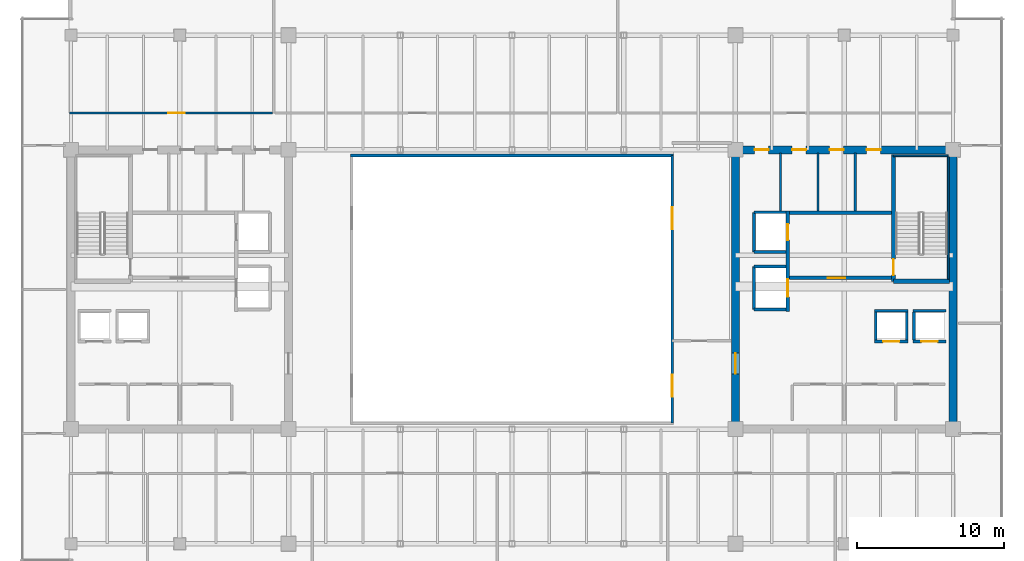
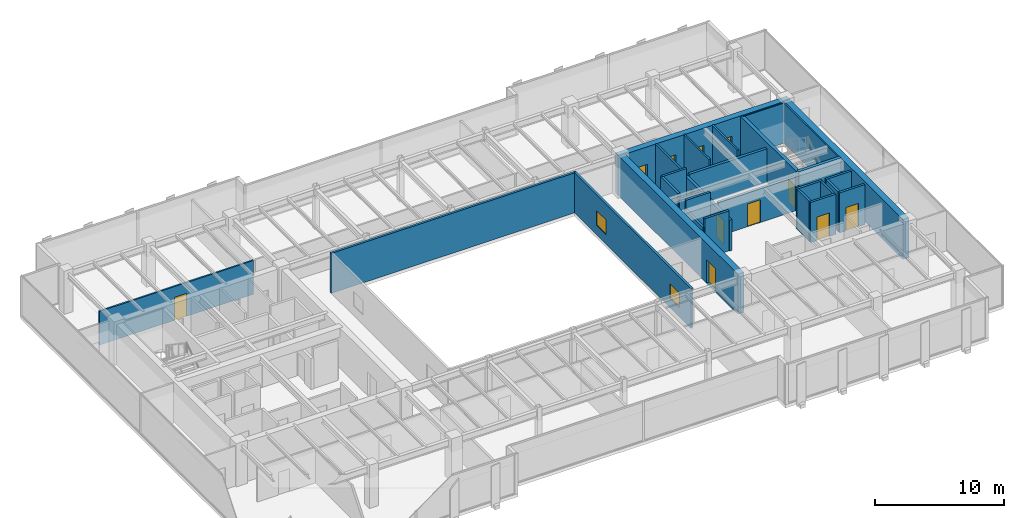
# One storey, part 30 of 36: 29 walls, 12 doors, 2 windows, 14 openings.
"""IFC4 building model written with IfcOpenShell, lengths in metres."""

import ifcopenshell
import ifcopenshell.guid

model = None  # the IFC model being written
_history = None  # IfcOwnerHistory: only IFC2X3 demands one
_inside = {}  # id of a spatial element -> (the spatial element, [elements in it])
_under = {}  # id of a project, library or spatial element -> (it, [spatial elements below it])
_declared = {}  # id of a project -> (the project, [libraries it declares])
_typed = {}  # id of a type object -> (the type object, [elements of that type])
_made_of = {}  # id of a material, layer set ... -> (it, [elements and type objects made of it])


def new_model(schema):
    """Start an empty IFC model of exactly this schema.

    Asked for "IFC4X3", IfcOpenShell would pick the latest addendum, in which some entities
    have other attributes; the version numbers below select the first issue.
    IFC2X3 requires an IfcOwnerHistory on every rooted entity: one is made here for all.
    """
    global model, _history
    if schema == "IFC4X3":
        model = ifcopenshell.file(schema_version=(4, 3, 0, 0))
    else:
        model = ifcopenshell.file(schema=schema)
    _inside.clear()
    _under.clear()
    _declared.clear()
    _typed.clear()
    _made_of.clear()
    _history = None
    if model.schema == "IFC2X3":
        org = make("IfcOrganization", Name="unknown")
        user = make(
            "IfcPersonAndOrganization",
            ThePerson=make("IfcPerson", FamilyName="unknown"),
            TheOrganization=org,
        )
        app = make(
            "IfcApplication",
            ApplicationDeveloper=org,
            Version="unknown",
            ApplicationFullName="unknown",
            ApplicationIdentifier="unknown",
        )
        _history = make(
            "IfcOwnerHistory",
            OwningUser=user,
            OwningApplication=app,
            ChangeAction="ADDED",
            CreationDate=0,
        )
    return model


def make(cls, **values):
    """One entity of the class cls with the attributes given. An attribute that is None is left unset."""
    return model.create_entity(
        cls, **{name: value for name, value in values.items() if value is not None}
    )


def rooted(cls, **values):
    """An entity with a GlobalId (a new one), such as an element, a storey or a relation."""
    return make(cls, GlobalId=ifcopenshell.guid.new(), OwnerHistory=_history, **values)


def si_unit(unit_type, name, prefix=None):
    """IfcSIUnit, for example si_unit("LENGTHUNIT", "METRE", prefix="MILLI")."""
    return make("IfcSIUnit", UnitType=unit_type, Prefix=prefix, Name=name)


def assignment(units):
    """IfcUnitAssignment: the units of a project."""
    return None if units is None else make("IfcUnitAssignment", Units=units)


def point(xyz):
    """IfcCartesianPoint."""
    return None if xyz is None else make("IfcCartesianPoint", Coordinates=xyz)


def direction(xyz):
    """IfcDirection."""
    return None if xyz is None else make("IfcDirection", DirectionRatios=xyz)


def frame(location, z_axis=None, x_axis=None):
    """IfcAxis2Placement3D, a coordinate frame: its origin and axes. An axis left out is left unset."""
    return make(
        "IfcAxis2Placement3D",
        Location=point(location),
        Axis=direction(z_axis),
        RefDirection=direction(x_axis),
    )


def frame_2d(location, x_axis=None):
    """IfcAxis2Placement2D, a coordinate frame in the plane: its origin and x axis."""
    return make(
        "IfcAxis2Placement2D", Location=point(location), RefDirection=direction(x_axis)
    )


def origin():
    """The frame at (0, 0, 0) with its axes left unset."""
    return frame((0.0, 0.0, 0.0))


def place(relative_to, where):
    """IfcLocalPlacement: puts the frame where relative to a parent placement (None: the world)."""
    return make(
        "IfcLocalPlacement", PlacementRelTo=relative_to, RelativePlacement=where
    )


def context(
    kind, dimensions, precision=None, world=None, true_north=None, identifier=None
):
    """IfcGeometricRepresentationContext, for example the 3D "Model" context."""
    return make(
        "IfcGeometricRepresentationContext",
        ContextIdentifier=identifier,
        ContextType=kind,
        CoordinateSpaceDimension=dimensions,
        Precision=precision,
        WorldCoordinateSystem=world,
        TrueNorth=true_north,
    )


def subcontext(parent, identifier, kind, view, scale=None):
    """IfcGeometricRepresentationSubContext, for example "Body" below "Model"."""
    return make(
        "IfcGeometricRepresentationSubContext",
        ContextIdentifier=identifier,
        ContextType=kind,
        ParentContext=parent,
        TargetScale=scale,
        TargetView=view,
    )


def project(units=None, contexts=None):
    """IfcProject with its units and contexts."""
    return rooted(
        "IfcProject",
        Name="project",
        RepresentationContexts=contexts,
        UnitsInContext=assignment(units),
    )


def spatial(cls, under=None, at=None, **own):
    """A site, building, storey or space (cls), placed at a placement, below another one or the project."""
    s = rooted(cls, ObjectPlacement=at, **own)
    if under is not None:
        _under.setdefault(under.id(), (under, []))[1].append(s)
    return s


def profile(cls, at=None, kind="AREA", **sizes):
    """A parametric profile (cls). Its sizes go by their IFC names, for example OverallWidth=200.0."""
    return make(cls, ProfileType=kind, Position=at, **sizes)


def rectangle(**sizes):
    """IfcRectangleProfileDef."""
    return profile("IfcRectangleProfileDef", **sizes)


def extrude(swept, where, along, depth):
    """IfcExtrudedAreaSolid: the profile swept, set in the frame where, extruded along a direction by depth."""
    return make(
        "IfcExtrudedAreaSolid",
        SweptArea=swept,
        Position=where,
        ExtrudedDirection=direction(along),
        Depth=depth,
    )


def shape(context_of_items, identifier, shape_type, items):
    """IfcShapeRepresentation: the items that make up one representation, for example the "Body"."""
    return make(
        "IfcShapeRepresentation",
        ContextOfItems=context_of_items,
        RepresentationIdentifier=identifier,
        RepresentationType=shape_type,
        Items=items,
    )


def source(mapping_origin, context_of_items, identifier, shape_type, items):
    """IfcRepresentationMap: a shape defined once, which mapped items show again and again."""
    return make(
        "IfcRepresentationMap",
        MappingOrigin=mapping_origin,
        MappedRepresentation=shape(context_of_items, identifier, shape_type, items),
    )


def transform(
    local_origin,
    x_axis=None,
    y_axis=None,
    z_axis=None,
    scale=None,
    scale2=None,
    scale3=None,
    uniform=True,
):
    """IfcCartesianTransformationOperator3D, or its non-uniform kind. x_axis, y_axis, z_axis: its Axis1, 2, 3."""
    if uniform:
        return make(
            "IfcCartesianTransformationOperator3D",
            Axis1=direction(x_axis),
            Axis2=direction(y_axis),
            LocalOrigin=point(local_origin),
            Scale=scale,
            Axis3=direction(z_axis),
        )
    return make(
        "IfcCartesianTransformationOperator3DnonUniform",
        Axis1=direction(x_axis),
        Axis2=direction(y_axis),
        LocalOrigin=point(local_origin),
        Scale=scale,
        Axis3=direction(z_axis),
        Scale2=scale2,
        Scale3=scale3,
    )


def mapped(mapping_source, mapping_target):
    """IfcMappedItem: shows the shape of a source again, moved by a transform."""
    return make(
        "IfcMappedItem", MappingSource=mapping_source, MappingTarget=mapping_target
    )


def material(Name=None, Category=None):
    """IfcMaterial."""
    return make("IfcMaterial", Name=Name, Category=Category)


def layer(
    of_material, thickness, ventilated=None, Name=None, Category=None, Priority=None
):
    """IfcMaterialLayer: one layer of a wall or slab, of a material (None: an air gap)."""
    return make(
        "IfcMaterialLayer",
        Material=of_material,
        LayerThickness=thickness,
        IsVentilated=ventilated,
        Name=Name,
        Category=Category,
        Priority=Priority,
    )


def layer_set(layers, Name=None):
    """IfcMaterialLayerSet."""
    return make("IfcMaterialLayerSet", MaterialLayers=layers, LayerSetName=Name)


def made_of(thing, what):
    """Note that an element or type object is made of a material, layer set ...; save() writes the relation."""
    if what is not None:
        _made_of.setdefault(what.id(), (what, []))[1].append(thing)
    return thing


def type_object(cls, material=None, **own):
    """A type object (cls), such as IfcWallType, which elements share."""
    return made_of(rooted(cls, **own), material)


def type_shapes(of_type, sources):
    """Give a type object the sources (RepresentationMaps) that its elements show as mapped items."""
    of_type.RepresentationMaps = sources


def element(
    cls,
    number,
    at=None,
    inside=None,
    cuts=None,
    type_object=None,
    material=None,
    context=None,
    identifier="Body",
    shape_type=None,
    held_by="IfcProductDefinitionShape",
    body=None,
    shapes=None,
    **own,
):
    """One element of the class cls, such as IfcWall. Its Tag is "e" and its number.

    at: its placement. inside: the storey or other place that contains it. cuts: it is an
    opening in that element (IfcRelVoidsElement). A single representation is given by context,
    identifier, shape_type and body (its items); several are given by shapes. held_by: the class
    of the entity that holds the representations. save() writes the other relations.
    """
    e = rooted(cls, Tag="e%d" % number, ObjectPlacement=at, **own)
    if body is not None:
        shapes = [shape(context, identifier, shape_type, body)]
    if shapes is not None:
        e.Representation = make(held_by, Representations=shapes)
    if inside is not None:
        _inside.setdefault(inside.id(), (inside, []))[1].append(e)
    if cuts is not None:
        rooted(
            "IfcRelVoidsElement", RelatingBuildingElement=cuts, RelatedOpeningElement=e
        )
    if type_object is not None:
        _typed.setdefault(type_object.id(), (type_object, []))[1].append(e)
    return made_of(e, material)


def fill(opening, filler):
    """IfcRelFillsElement: the door or window that sits in an opening."""
    return rooted(
        "IfcRelFillsElement",
        RelatingOpeningElement=opening,
        RelatedBuildingElement=filler,
    )


def aggregate(whole, parts):
    """IfcRelAggregates: a whole, such as a stair, and the parts it consists of."""
    return rooted("IfcRelAggregates", RelatingObject=whole, RelatedObjects=parts)


def save(model, path):
    """Write the relations noted so far, then the file.

    IfcRelAggregates (storeys below a building ...), IfcRelContainedInSpatialStructure (elements
    in a storey), IfcRelDefinesByType, IfcRelAssociatesMaterial and IfcRelDeclares: one each for
    every whole, place, type object, material and project.
    """
    for whole, parts in _under.values():
        aggregate(whole, parts)
    for where, things in _inside.values():
        rooted(
            "IfcRelContainedInSpatialStructure",
            RelatedElements=things,
            RelatingStructure=where,
        )
    for kind, things in _typed.values():
        rooted("IfcRelDefinesByType", RelatedObjects=things, RelatingType=kind)
    for what, things in _made_of.values():
        rooted("IfcRelAssociatesMaterial", RelatedObjects=things, RelatingMaterial=what)
    for by, libraries in _declared.values():
        rooted("IfcRelDeclares", RelatingContext=by, RelatedDefinitions=libraries)
    model.write(path)


model = new_model("IFC4")

# Units and contexts
model_context = context("Model", 3, precision=1e-05, world=origin(), true_north=direction((0.0, 1.0)))
body_context = subcontext(model_context, "Body", "Model", "MODEL_VIEW")
ifc_project = project(units=[si_unit("LENGTHUNIT", "METRE"), si_unit("AREAUNIT", "SQUARE_METRE"), si_unit("VOLUMEUNIT", "CUBIC_METRE"), si_unit("PLANEANGLEUNIT", "RADIAN"), si_unit("MASSUNIT", "GRAM", prefix="KILO")], contexts=[model_context])

# Site, building, storey
site_placement = place(None, origin())
site = spatial("IfcSite", under=ifc_project, at=site_placement, CompositionType="ELEMENT")
building_placement = place(site_placement, origin())
building = spatial("IfcBuilding", under=site, at=building_placement, Name="Haelvirn Gate Laboratories", CompositionType="ELEMENT")
storey_placement = place(building_placement, frame((0.0, 0.0, 242.39990234375)))
storey = spatial("IfcBuildingStorey", under=building, at=storey_placement, Name="L58", CompositionType="ELEMENT", Elevation=242.39990234375)

# Wall, openings, windows
ifc_material_1 = material(Name="Tempered fire-rated borosilicate glass & anodised aluminium", Category="aluminium")
ifc_layer_1 = layer(ifc_material_1, 0.195068359375, Name="IW-GLAZ-200")
ifc_layer_set_1 = layer_set([ifc_layer_1], Name="Tempered fire-rated borosilicate glass & anodised aluminium")
wall_type_1 = type_object("IfcWallType", Name="IW-GLAZ-200", PredefinedType="SOLIDWALL", material=ifc_layer_set_1)
wall_1_placement = place(storey_placement, frame((48.300048828125, 15.199951171875, 0.0), z_axis=(0.0, 0.0, 1.0), x_axis=(0.0, 1.0, 0.0)))
wall_1 = element("IfcWall", 1, at=wall_1_placement, inside=storey, type_object=wall_type_1, Name="L58 Interior Wall IW-L58-ATRIUM-E", PredefinedType="SOLIDWALL", context=body_context, shape_type="SweptSolid", body=[
    extrude(rectangle(XDim=18.199951171875, YDim=0.195068359375, at=frame_2d((9.10009765625, 0.0))), origin(), (0.0, 0.0, 1.0), 3.800048828125),
])
opening_1_placement = place(wall_1_placement, frame((1.800048828125, 0.0, 0.89990234375)))
opening_1 = element("IfcOpeningElement", 2, at=opening_1_placement, cuts=wall_1, Name="Opening W5", PredefinedType="OPENING", context=body_context, shape_type="SweptSolid", body=[
    extrude(rectangle(XDim=1.5, YDim=1.39990234375, at=frame_2d((0.75, 0.699951171875))), frame((0.0, 0.107421875, 0.0), z_axis=(0.0, -1.0, 0.0), x_axis=(1.0, 0.0, 0.0)), (0.0, 0.0, 1.0), 0.215087890625),
])
opening_2_placement = place(wall_1_placement, frame((13.199951171875, 0.0, 0.89990234375)))
opening_2 = element("IfcOpeningElement", 3, at=opening_2_placement, cuts=wall_1, Name="Opening W5", PredefinedType="OPENING", context=body_context, shape_type="SweptSolid", body=[
    extrude(rectangle(XDim=1.5, YDim=1.39990234375, at=frame_2d((0.75, 0.699951171875))), frame((0.0, 0.107421875, 0.0), z_axis=(0.0, -1.0, 0.0), x_axis=(1.0, 0.0, 0.0)), (0.0, 0.0, 1.0), 0.215087890625),
])
ifc_material_2 = material(Name="Fire-rated EI 120 borosilicate atrium vision glazing", Category="glass")
window_type = type_object("IfcWindowType", Name="WN-ATR-1500", PartitioningType="SINGLE_PANEL", PredefinedType="WINDOW", material=ifc_material_2)
shared_shape_1 = source(origin(), body_context, "Body", "SweptSolid", [
    extrude(rectangle(XDim=1.5, YDim=1.39990234375, at=frame_2d((0.75, 0.699951171875))), frame((0.0, 0.030029296875, 0.0), z_axis=(0.0, -1.0, 0.0), x_axis=(1.0, 0.0, 0.0)), (0.0, 0.0, 1.0), 0.06005859375),
])
type_shapes(window_type, [shared_shape_1])
window_1_placement = place(opening_1_placement, origin())
window_1 = element("IfcWindow", 4, at=window_1_placement, inside=storey, type_object=window_type, Name="L58 Atrium Observation Window 1", OverallHeight=1.39990234375, OverallWidth=1.5, PartitioningType="SINGLE_PANEL", PredefinedType="WINDOW", context=body_context, shape_type="MappedRepresentation", body=[
    mapped(shared_shape_1, transform((0.0, 0.0, 0.0), scale=1.0)),
])
fill(opening_1, window_1)
window_2_placement = place(opening_2_placement, origin())
window_2 = element("IfcWindow", 5, at=window_2_placement, inside=storey, type_object=window_type, Name="L58 Atrium Observation Window 2", OverallHeight=1.39990234375, OverallWidth=1.5, PartitioningType="SINGLE_PANEL", PredefinedType="WINDOW", context=body_context, shape_type="MappedRepresentation", body=[
    mapped(shared_shape_1, transform((0.0, 0.0, 0.0), scale=1.0)),
])
fill(opening_2, window_2)

# Wall
wall_2_placement = place(storey_placement, frame((26.39990234375, 33.39990234375, 0.0), z_axis=(0.0, 0.0, 1.0), x_axis=(1.0, 0.0, 0.0)))
element("IfcWall", 6, at=wall_2_placement, inside=storey, type_object=wall_type_1, Name="L58 Interior Wall IW-L58-ATRIUM-N", PredefinedType="SOLIDWALL", context=body_context, shape_type="SweptSolid", body=[
    extrude(rectangle(XDim=22.0, YDim=0.195068359375, at=frame_2d((11.0, 0.0))), origin(), (0.0, 0.0, 1.0), 3.800048828125),
])

# Wall, opening, door
ifc_material_3 = material(Name="Acoustic mineral-wool gypsum board partition", Category="gypsum")
ifc_layer_2 = layer(ifc_material_3, 0.139892578125, Name="IW-PART-140")
ifc_layer_set_2 = layer_set([ifc_layer_2], Name="Acoustic mineral-wool gypsum board partition")
wall_type_2 = type_object("IfcWallType", Name="IW-PART-140", PredefinedType="PARTITIONING", material=ifc_layer_set_2)
wall_3_placement = place(storey_placement, frame((7.31005859375, 36.31005859375, 0.0), z_axis=(0.0, 0.0, 1.0), x_axis=(1.0, 0.0, 0.0)))
wall_3 = element("IfcWall", 7, at=wall_3_placement, inside=storey, type_object=wall_type_2, Name="L58 Interior Wall IW-L58-NCORR-01", PredefinedType="PARTITIONING", context=body_context, shape_type="SweptSolid", body=[
    extrude(rectangle(XDim=13.81005859375, YDim=0.139892578125, at=frame_2d((6.905029296875, 0.0))), origin(), (0.0, 0.0, 1.0), 3.197021484375),
])
opening_3_placement = place(wall_3_placement, frame((6.71533203125, 0.0, 0.0)))
opening_3 = element("IfcOpeningElement", 8, at=opening_3_placement, cuts=wall_3, Name="Opening D1", PredefinedType="OPENING", context=body_context, shape_type="SweptSolid", body=[
    extrude(rectangle(XDim=1.10009765625, YDim=2.179931640625, at=frame_2d((0.550048828125, 1.08984375))), frame((0.0, 0.080078125, 0.0), z_axis=(0.0, -1.0, 0.0), x_axis=(1.0, 0.0, 0.0)), (0.0, 0.0, 1.0), 0.159912109375),
])
ifc_material_4 = material(Name="Vision-panel acoustic solid-core timber lab door", Category="wood")
door_type_1 = type_object("IfcDoorType", Name="DR-LAB-1100", OperationType="NOTDEFINED", PredefinedType="DOOR", material=ifc_material_4)
shared_shape_2 = source(origin(), body_context, "Body", "SweptSolid", [
    extrude(rectangle(XDim=1.10009765625, YDim=2.179931640625, at=frame_2d((0.550048828125, 1.08984375))), frame((0.0, 0.02490234375, 0.0), z_axis=(0.0, -1.0, 0.0), x_axis=(1.0, 0.0, 0.0)), (0.0, 0.0, 1.0), 0.050048828125),
])
type_shapes(door_type_1, [shared_shape_2])
door_1_placement = place(opening_3_placement, origin())
door_1 = element("IfcDoor", 9, at=door_1_placement, inside=storey, type_object=door_type_1, Name="L58 Analytical Instrument Suite Door N1", OperationType="SINGLE_SWING_RIGHT", OverallHeight=2.179931640625, OverallWidth=1.10009765625, PredefinedType="DOOR", context=body_context, shape_type="MappedRepresentation", body=[
    mapped(shared_shape_2, transform((0.0, 0.0, 0.0), scale=1.0)),
])
fill(opening_3, door_1)

# Walls
ifc_material_5 = material(Name="Cement-board restroom plumbing chase wall", Category="gypsum")
ifc_layer_3 = layer(ifc_material_5, 0.155029296875, Name="IW-PLUMB-160")
ifc_layer_set_3 = layer_set([ifc_layer_3], Name="Cement-board restroom plumbing chase wall")
wall_type_3 = type_object("IfcWallType", Name="IW-PLUMB-160", PredefinedType="PLUMBINGWALL", material=ifc_layer_set_3)
for number, where, z_axis, x_axis, name in (
    (10, (60.760009765625, 29.64990234375, 0.0), (0.0, 0.0, 1.0), (0.0, 1.0, 0.0), "L58 Interior Wall IW-L58-E-CDIV-1"),
    (11, (58.2099609375, 29.64990234375, 0.0), (0.0, 0.0, 1.0), (0.0, 1.0, 0.0), "L58 Interior Wall IW-L58-E-CDIV-2"),
    (12, (55.659912109375, 29.64990234375, 0.0), (0.0, 0.0, 1.0), (0.0, 1.0, 0.0), "L58 Interior Wall IW-L58-E-CDIV-3"),
):
    element("IfcWall", number, at=place(storey_placement, frame(where, z_axis=z_axis, x_axis=x_axis)), inside=storey, type_object=wall_type_3, Name=name, PredefinedType="PLUMBINGWALL", context=body_context, shape_type="SweptSolid", body=[
        extrude(rectangle(XDim=3.93017578125, YDim=0.155029296875, at=frame_2d((1.965087890625, 0.0))), origin(), (0.0, 0.0, 1.0), 3.800048828125),
    ])
ifc_material_6 = material(Name="Concrete C40/50", Category="concrete")
ifc_layer_4 = layer(ifc_material_6, 0.179931640625, Name="IW-SHAFT-180")
ifc_layer_set_4 = layer_set([ifc_layer_4], Name="Concrete C40/50")
wall_type_4 = type_object("IfcWallType", Name="IW-SHAFT-180", PredefinedType="SOLIDWALL", material=ifc_layer_set_4)
for number, where, z_axis, x_axis, name in (
    (13, (64.75, 20.85009765625, 0.0), (0.0, 0.0, 1.0), (0.0, 1.0, 0.0), "L58 Interior Wall IW-L58-PL11-SD"),
    (14, (62.14990234375, 20.85009765625, 0.0), (0.0, 0.0, 1.0), (0.0, 1.0, 0.0), "L58 Interior Wall IW-L58-PL12-SD"),
    (15, (64.25, 20.85009765625, 0.0), (0.0, 0.0, 1.0), (0.0, 1.0, 0.0), "L58 Interior Wall IW-L58-PL12-SDE"),
):
    element("IfcWall", number, at=place(storey_placement, frame(where, z_axis=z_axis, x_axis=x_axis)), inside=storey, type_object=wall_type_4, Name=name, PredefinedType="SOLIDWALL", context=body_context, shape_type="SweptSolid", body=[
        extrude(rectangle(XDim=1.89990234375, YDim=0.179931640625, at=frame_2d((0.949951171875, 0.0))), origin(), (0.0, 0.0, 1.0), 3.800048828125),
    ])

# Wall, opening, door
ifc_layer_5 = layer(ifc_material_6, 0.199951171875, Name="IW-SHAFT-200")
ifc_layer_set_5 = layer_set([ifc_layer_5], Name="Concrete C40/50")
wall_type_5 = type_object("IfcWallType", Name="IW-SHAFT-200", PredefinedType="SOLIDWALL", material=ifc_layer_set_5)
wall_4_placement = place(storey_placement, frame((64.669921875, 20.75, 0.0), z_axis=(0.0, 0.0, 1.0), x_axis=(1.0, 0.0, 0.0)))
wall_4 = element("IfcWall", 16, at=wall_4_placement, inside=storey, type_object=wall_type_5, Name="L58 Interior Wall IW-L58-PL11-FR", PredefinedType="SOLIDWALL", context=body_context, shape_type="SweptSolid", body=[
    extrude(rectangle(XDim=2.260009765625, YDim=0.199951171875, at=frame_2d((1.1298828125, 0.0))), origin(), (0.0, 0.0, 1.0), 3.800048828125),
])
opening_4_placement = place(wall_4_placement, frame((0.580078125, 0.0, 0.0)))
opening_4 = element("IfcOpeningElement", 17, at=opening_4_placement, cuts=wall_4, Name="Opening LD2", PredefinedType="OPENING", context=body_context, shape_type="SweptSolid", body=[
    extrude(rectangle(XDim=1.10009765625, YDim=2.219970703125, at=frame_2d((0.550048828125, 1.10986328125))), frame((0.0, 0.10986328125, 0.0), z_axis=(0.0, -1.0, 0.0), x_axis=(1.0, 0.0, 0.0)), (0.0, 0.0, 1.0), 0.219970703125),
])
ifc_material_7 = material(Name="Bronze stainless 316L sliding lift landing door")
door_type_2 = type_object("IfcDoorType", Name="DR-LD-1100", OperationType="NOTDEFINED", PredefinedType="USERDEFINED", material=ifc_material_7)
shared_shape_3 = source(origin(), body_context, "Body", "SweptSolid", [
    extrude(rectangle(XDim=1.10009765625, YDim=2.219970703125, at=frame_2d((0.550048828125, 1.10986328125))), frame((0.0, 0.02490234375, 0.0), z_axis=(0.0, -1.0, 0.0), x_axis=(1.0, 0.0, 0.0)), (0.0, 0.0, 1.0), 0.050048828125),
])
type_shapes(door_type_2, [shared_shape_3])
door_2_placement = place(opening_4_placement, origin())
door_2 = element("IfcDoor", 18, at=door_2_placement, inside=storey, type_object=door_type_2, Name="L58 Passenger Lift PL11 Landing Door", ObjectType="LANDING_DOOR", OperationType="SLIDING_TO_LEFT", OverallHeight=2.219970703125, OverallWidth=1.10009765625, PredefinedType="USERDEFINED", context=body_context, shape_type="MappedRepresentation", body=[
    mapped(shared_shape_3, transform((0.0, 0.0, 0.0), scale=1.0)),
])
fill(opening_4, door_2)

# Wall
wall_5_placement = place(storey_placement, frame((64.669921875, 22.85009765625, 0.0), z_axis=(0.0, 0.0, 1.0), x_axis=(1.0, 0.0, 0.0)))
element("IfcWall", 19, at=wall_5_placement, inside=storey, type_object=wall_type_5, Name="L58 Interior Wall IW-L58-PL11-BK", PredefinedType="SOLIDWALL", context=body_context, shape_type="SweptSolid", body=[
    extrude(rectangle(XDim=2.260009765625, YDim=0.199951171875, at=frame_2d((1.1298828125, 0.0))), origin(), (0.0, 0.0, 1.0), 3.800048828125),
])

# Wall, opening, door
wall_6_placement = place(storey_placement, frame((62.070068359375, 20.75, 0.0), z_axis=(0.0, 0.0, 1.0), x_axis=(1.0, 0.0, 0.0)))
wall_6 = element("IfcWall", 20, at=wall_6_placement, inside=storey, type_object=wall_type_5, Name="L58 Interior Wall IW-L58-PL12-FR", PredefinedType="SOLIDWALL", context=body_context, shape_type="SweptSolid", body=[
    extrude(rectangle(XDim=2.260009765625, YDim=0.199951171875, at=frame_2d((1.1298828125, 0.0))), origin(), (0.0, 0.0, 1.0), 3.800048828125),
])
opening_5_placement = place(wall_6_placement, frame((0.580078125, 0.0, 0.0)))
opening_5 = element("IfcOpeningElement", 21, at=opening_5_placement, cuts=wall_6, Name="Opening LD2", PredefinedType="OPENING", context=body_context, shape_type="SweptSolid", body=[
    extrude(rectangle(XDim=1.10009765625, YDim=2.219970703125, at=frame_2d((0.550048828125, 1.10986328125))), frame((0.0, 0.10986328125, 0.0), z_axis=(0.0, -1.0, 0.0), x_axis=(1.0, 0.0, 0.0)), (0.0, 0.0, 1.0), 0.219970703125),
])
door_3_placement = place(opening_5_placement, origin())
door_3 = element("IfcDoor", 22, at=door_3_placement, inside=storey, type_object=door_type_2, Name="L58 Passenger Lift PL12 Landing Door", ObjectType="LANDING_DOOR", OperationType="SLIDING_TO_RIGHT", OverallHeight=2.219970703125, OverallWidth=1.10009765625, PredefinedType="USERDEFINED", context=body_context, shape_type="MappedRepresentation", body=[
    mapped(shared_shape_3, transform((0.0, 0.0, 0.0), scale=1.0)),
])
fill(opening_5, door_3)

# Walls
wall_7_placement = place(storey_placement, frame((62.070068359375, 22.85009765625, 0.0), z_axis=(0.0, 0.0, 1.0), x_axis=(1.0, 0.0, 0.0)))
element("IfcWall", 23, at=wall_7_placement, inside=storey, type_object=wall_type_5, Name="L58 Interior Wall IW-L58-PL12-BK", PredefinedType="SOLIDWALL", context=body_context, shape_type="SweptSolid", body=[
    extrude(rectangle(XDim=2.260009765625, YDim=0.199951171875, at=frame_2d((1.1298828125, 0.0))), origin(), (0.0, 0.0, 1.0), 3.800048828125),
])
wall_8_placement = place(storey_placement, frame((53.85009765625, 26.85009765625, 0.0), z_axis=(0.0, 0.0, 1.0), x_axis=(0.0, 1.0, 0.0)))
element("IfcWall", 24, at=wall_8_placement, inside=storey, type_object=wall_type_5, Name="L58 Interior Wall IW-L58-FL2-BK", PredefinedType="SOLIDWALL", context=body_context, shape_type="SweptSolid", body=[
    extrude(rectangle(XDim=2.699951171875, YDim=0.199951171875, at=frame_2d((1.35009765625, 0.0))), origin(), (0.0, 0.0, 1.0), 3.800048828125),
])
wall_9_placement = place(storey_placement, frame((53.85009765625, 29.550048828125, 0.0), z_axis=(0.0, 0.0, 1.0), x_axis=(1.0, 0.0, 0.0)))
element("IfcWall", 25, at=wall_9_placement, inside=storey, type_object=wall_type_5, Name="L58 Interior Wall IW-L58-FL2-N", PredefinedType="SOLIDWALL", context=body_context, shape_type="SweptSolid", body=[
    extrude(rectangle(XDim=2.18994140625, YDim=0.199951171875, at=frame_2d((1.094970703125, 0.0))), origin(), (0.0, 0.0, 1.0), 3.800048828125),
])
wall_10_placement = place(storey_placement, frame((53.85009765625, 26.85009765625, 0.0), z_axis=(0.0, 0.0, 1.0), x_axis=(1.0, 0.0, 0.0)))
element("IfcWall", 26, at=wall_10_placement, inside=storey, type_object=wall_type_5, Name="L58 Interior Wall IW-L58-FL2-S", PredefinedType="SOLIDWALL", context=body_context, shape_type="SweptSolid", body=[
    extrude(rectangle(XDim=2.18994140625, YDim=0.199951171875, at=frame_2d((1.094970703125, 0.0))), origin(), (0.0, 0.0, 1.0), 3.197021484375),
])
wall_11_placement = place(storey_placement, frame((53.85009765625, 22.949951171875, 0.0), z_axis=(0.0, 0.0, 1.0), x_axis=(0.0, 1.0, 0.0)))
element("IfcWall", 27, at=wall_11_placement, inside=storey, type_object=wall_type_5, Name="L58 Interior Wall IW-L58-SL2-BK", PredefinedType="SOLIDWALL", context=body_context, shape_type="SweptSolid", body=[
    extrude(rectangle(XDim=2.900146484375, YDim=0.199951171875, at=frame_2d((1.4501953125, 0.0))), origin(), (0.0, 0.0, 1.0), 2.93505859375),
])
for number, where, z_axis, x_axis, name in (
    (28, (53.85009765625, 25.85009765625, 0.0), (0.0, 0.0, 1.0), (1.0, 0.0, 0.0), "L58 Interior Wall IW-L58-SL2-N"),
    (29, (53.85009765625, 22.949951171875, 0.0), (0.0, 0.0, 1.0), (1.0, 0.0, 0.0), "L58 Interior Wall IW-L58-SL2-S"),
):
    element("IfcWall", number, at=place(storey_placement, frame(where, z_axis=z_axis, x_axis=x_axis)), inside=storey, type_object=wall_type_5, Name=name, PredefinedType="SOLIDWALL", context=body_context, shape_type="SweptSolid", body=[
        extrude(rectangle(XDim=2.18994140625, YDim=0.199951171875, at=frame_2d((1.094970703125, 0.0))), origin(), (0.0, 0.0, 1.0), 3.800048828125),
    ])

# Wall, opening, door
ifc_layer_6 = layer(ifc_material_6, 0.239990234375, Name="IW-SHAFT-240")
ifc_layer_set_6 = layer_set([ifc_layer_6], Name="Concrete C40/50")
wall_type_6 = type_object("IfcWallType", Name="IW-SHAFT-240", PredefinedType="SOLIDWALL", material=ifc_layer_set_6)
wall_12_placement = place(storey_placement, frame((56.280029296875, 25.080078125, 0.0), z_axis=(0.0, 0.0, 1.0), x_axis=(1.0, 0.0, 0.0)))
wall_12 = element("IfcWall", 30, at=wall_12_placement, inside=storey, type_object=wall_type_6, Name="L58 Interior Wall IW-L58-E-FF-S", PredefinedType="SOLIDWALL", context=body_context, shape_type="SweptSolid", body=[
    extrude(rectangle(XDim=6.919921875, YDim=0.239990234375, at=frame_2d((3.4599609375, 0.0))), origin(), (0.0, 0.0, 1.0), 3.197021484375),
])
opening_6_placement = place(wall_12_placement, frame((2.60009765625, 0.0, 0.0)))
opening_6 = element("IfcOpeningElement", 31, at=opening_6_placement, cuts=wall_12, Name="Opening FD2", PredefinedType="OPENING", context=body_context, shape_type="SweptSolid", body=[
    extrude(rectangle(XDim=1.199951171875, YDim=2.159912109375, at=frame_2d((0.60009765625, 1.080078125))), frame((0.0, 0.1298828125, 0.0), z_axis=(0.0, -1.0, 0.0), x_axis=(1.0, 0.0, 0.0)), (0.0, 0.0, 1.0), 0.260009765625),
])
ifc_material_8 = material(Name="Fire-rated steel SM355 compartment door", Category="steel")
door_type_3 = type_object("IfcDoorType", Name="DR-FD-1200", OperationType="NOTDEFINED", PredefinedType="DOOR", material=ifc_material_8)
shared_shape_4 = source(origin(), body_context, "Body", "SweptSolid", [
    extrude(rectangle(XDim=1.199951171875, YDim=2.159912109375, at=frame_2d((0.60009765625, 1.080078125))), frame((0.0, 0.02490234375, 0.0), z_axis=(0.0, -1.0, 0.0), x_axis=(1.0, 0.0, 0.0)), (0.0, 0.0, 1.0), 0.050048828125),
])
type_shapes(door_type_3, [shared_shape_4])
door_4_placement = place(opening_6_placement, origin())
door_4 = element("IfcDoor", 32, at=door_4_placement, inside=storey, type_object=door_type_3, Name="L58 East Firefighting Lobby Door", OperationType="SINGLE_SWING_LEFT", OverallHeight=2.159912109375, OverallWidth=1.199951171875, PredefinedType="DOOR", context=body_context, shape_type="MappedRepresentation", body=[
    mapped(shared_shape_4, transform((0.0, 0.0, 0.0), scale=1.0)),
])
fill(opening_6, door_4)

# Wall
wall_13_placement = place(storey_placement, frame((56.280029296875, 29.52001953125, 0.0), z_axis=(0.0, 0.0, 1.0), x_axis=(1.0, 0.0, 0.0)))
element("IfcWall", 33, at=wall_13_placement, inside=storey, type_object=wall_type_6, Name="L58 Interior Wall IW-L58-E-FF-N", PredefinedType="SOLIDWALL", context=body_context, shape_type="SweptSolid", body=[
    extrude(rectangle(XDim=6.919921875, YDim=0.239990234375, at=frame_2d((3.4599609375, 0.0))), origin(), (0.0, 0.0, 1.0), 3.197021484375),
])

# Wall, openings, doors
wall_14_placement = place(storey_placement, frame((56.159912109375, 22.800048828125, 0.0), z_axis=(0.0, 0.0, 1.0), x_axis=(0.0, 1.0, 0.0)))
wall_14 = element("IfcWall", 34, at=wall_14_placement, inside=storey, type_object=wall_type_6, Name="L58 Interior Wall IW-L58-E-FF-E", PredefinedType="SOLIDWALL", context=body_context, shape_type="SweptSolid", body=[
    extrude(rectangle(XDim=6.849853515625, YDim=0.239990234375, at=frame_2d((3.4248046875, 0.0))), origin(), (0.0, 0.0, 1.0), 2.93505859375),
])
opening_7_placement = place(wall_14_placement, frame((4.85009765625, 0.0, 0.0)))
opening_7 = element("IfcOpeningElement", 35, at=opening_7_placement, cuts=wall_14, Name="Opening LD2", PredefinedType="OPENING", context=body_context, shape_type="SweptSolid", body=[
    extrude(rectangle(XDim=1.10009765625, YDim=2.219970703125, at=frame_2d((0.550048828125, 1.10986328125))), frame((0.0, 0.1298828125, 0.0), z_axis=(0.0, -1.0, 0.0), x_axis=(1.0, 0.0, 0.0)), (0.0, 0.0, 1.0), 0.260009765625),
])
opening_8_placement = place(wall_14_placement, frame((1.0, 0.0, 0.0)))
opening_8 = element("IfcOpeningElement", 36, at=opening_8_placement, cuts=wall_14, Name="Opening LD1", PredefinedType="OPENING", context=body_context, shape_type="SweptSolid", body=[
    extrude(rectangle(XDim=1.199951171875, YDim=2.219970703125, at=frame_2d((0.60009765625, 1.10986328125))), frame((0.0, 0.1298828125, 0.0), z_axis=(0.0, -1.0, 0.0), x_axis=(1.0, 0.0, 0.0)), (0.0, 0.0, 1.0), 0.260009765625),
])
door_5_placement = place(opening_7_placement, origin())
door_5 = element("IfcDoor", 37, at=door_5_placement, inside=storey, type_object=door_type_2, Name="L58 Firefighting Lift FL2 Landing Door", ObjectType="LANDING_DOOR", OperationType="SLIDING_TO_RIGHT", OverallHeight=2.219970703125, OverallWidth=1.10009765625, PredefinedType="USERDEFINED", context=body_context, shape_type="MappedRepresentation", body=[
    mapped(shared_shape_3, transform((0.0, 0.0, 0.0), scale=1.0)),
])
fill(opening_7, door_5)
ifc_material_9 = material(Name="Stainless steel 316L sliding goods landing door", Category="steel")
door_type_4 = type_object("IfcDoorType", Name="DR-LD-1200", OperationType="NOTDEFINED", PredefinedType="USERDEFINED", material=ifc_material_9)
shared_shape_5 = source(origin(), body_context, "Body", "SweptSolid", [
    extrude(rectangle(XDim=1.199951171875, YDim=2.219970703125, at=frame_2d((0.60009765625, 1.10986328125))), frame((0.0, 0.02490234375, 0.0), z_axis=(0.0, -1.0, 0.0), x_axis=(1.0, 0.0, 0.0)), (0.0, 0.0, 1.0), 0.050048828125),
])
type_shapes(door_type_4, [shared_shape_5])
door_6_placement = place(opening_8_placement, origin())
door_6 = element("IfcDoor", 38, at=door_6_placement, inside=storey, type_object=door_type_4, Name="L58 Service Lift SL2 Landing Door", ObjectType="LANDING_DOOR", OperationType="SLIDING_TO_LEFT", OverallHeight=2.219970703125, OverallWidth=1.199951171875, PredefinedType="USERDEFINED", context=body_context, shape_type="MappedRepresentation", body=[
    mapped(shared_shape_5, transform((0.0, 0.0, 0.0), scale=1.0)),
])
fill(opening_8, door_6)

ifc_material_10 = material(Name="Concrete C50/60", Category="concrete")
ifc_layer_7 = layer(ifc_material_10, 0.550048828125, Name="SW-CORE-550")
ifc_layer_set_7 = layer_set([ifc_layer_7], Name="Concrete C50/60")
wall_type_7 = type_object("IfcWallType", Name="SW-CORE-550", PredefinedType="SHEAR", material=ifc_layer_set_7)
wall_15_placement = place(storey_placement, frame((52.324951171875, 33.800048828125, 0.0), z_axis=(0.0, 0.0, 1.0), x_axis=(1.0, 0.0, 0.0)))
wall_15 = element("IfcWall", 39, at=wall_15_placement, inside=storey, type_object=wall_type_7, Name="L58 E Core Shear Wall N", PredefinedType="SHEAR", context=body_context, shape_type="SweptSolid", body=[
    extrude(rectangle(XDim=15.35009765625, YDim=0.550048828125, at=frame_2d((7.675048828125, 0.0))), origin(), (0.0, 0.0, 1.0), 3.800048828125),
])
opening_9_placement = place(wall_15_placement, frame((9.199951171875, 0.0, 0.0)))
opening_9 = element("IfcOpeningElement", 40, at=opening_9_placement, cuts=wall_15, Name="Opening FD4", PredefinedType="OPENING", context=body_context, shape_type="SweptSolid", body=[
    extrude(rectangle(XDim=0.949951171875, YDim=2.14990234375, at=frame_2d((0.47509765625, 1.074951171875))), frame((0.0, 0.28515625, 0.0), z_axis=(0.0, -1.0, 0.0), x_axis=(1.0, 0.0, 0.0)), (0.0, 0.0, 1.0), 0.570068359375),
])
opening_10_placement = place(wall_15_placement, frame((6.68505859375, 0.0, 0.0)))
opening_10 = element("IfcOpeningElement", 41, at=opening_10_placement, cuts=wall_15, Name="Opening FD4", PredefinedType="OPENING", context=body_context, shape_type="SweptSolid", body=[
    extrude(rectangle(XDim=0.949951171875, YDim=2.14990234375, at=frame_2d((0.47509765625, 1.074951171875))), frame((0.0, 0.28515625, 0.0), z_axis=(0.0, -1.0, 0.0), x_axis=(1.0, 0.0, 0.0)), (0.0, 0.0, 1.0), 0.570068359375),
])
opening_11_placement = place(wall_15_placement, frame((4.135009765625, 0.0, 0.0)))
opening_11 = element("IfcOpeningElement", 42, at=opening_11_placement, cuts=wall_15, Name="Opening FD4", PredefinedType="OPENING", context=body_context, shape_type="SweptSolid", body=[
    extrude(rectangle(XDim=0.949951171875, YDim=2.14990234375, at=frame_2d((0.47509765625, 1.074951171875))), frame((0.0, 0.28515625, 0.0), z_axis=(0.0, -1.0, 0.0), x_axis=(1.0, 0.0, 0.0)), (0.0, 0.0, 1.0), 0.570068359375),
])
opening_12_placement = place(wall_15_placement, frame((1.5849609375, 0.0, 0.0)))
opening_12 = element("IfcOpeningElement", 43, at=opening_12_placement, cuts=wall_15, Name="Opening FD4", PredefinedType="OPENING", context=body_context, shape_type="SweptSolid", body=[
    extrude(rectangle(XDim=0.949951171875, YDim=2.14990234375, at=frame_2d((0.47509765625, 1.074951171875))), frame((0.0, 0.28515625, 0.0), z_axis=(0.0, -1.0, 0.0), x_axis=(1.0, 0.0, 0.0)), (0.0, 0.0, 1.0), 0.570068359375),
])
ifc_material_11 = material(Name="Fire-rated steel SM355 core service door", Category="steel")
door_type_5 = type_object("IfcDoorType", Name="DR-FD-950", OperationType="NOTDEFINED", PredefinedType="DOOR", material=ifc_material_11)
shared_shape_6 = source(origin(), body_context, "Body", "SweptSolid", [
    extrude(rectangle(XDim=0.949951171875, YDim=2.14990234375, at=frame_2d((0.47509765625, 1.074951171875))), frame((0.0, 0.02490234375, 0.0), z_axis=(0.0, -1.0, 0.0), x_axis=(1.0, 0.0, 0.0)), (0.0, 0.0, 1.0), 0.050048828125),
])
type_shapes(door_type_5, [shared_shape_6])
door_7_placement = place(opening_9_placement, origin())
door_7 = element("IfcDoor", 44, at=door_7_placement, inside=storey, type_object=door_type_5, Name="L58 Male Restroom Fire Door", OperationType="SINGLE_SWING_LEFT", OverallHeight=2.14990234375, OverallWidth=0.949951171875, PredefinedType="DOOR", context=body_context, shape_type="MappedRepresentation", body=[
    mapped(shared_shape_6, transform((0.0, 0.0, 0.0), scale=1.0)),
])
fill(opening_9, door_7)
door_8_placement = place(opening_10_placement, origin())
door_8 = element("IfcDoor", 45, at=door_8_placement, inside=storey, type_object=door_type_5, Name="L58 Female Restroom Fire Door", OperationType="SINGLE_SWING_RIGHT", OverallHeight=2.14990234375, OverallWidth=0.949951171875, PredefinedType="DOOR", context=body_context, shape_type="MappedRepresentation", body=[
    mapped(shared_shape_6, transform((0.0, 0.0, 0.0), scale=1.0)),
])
fill(opening_10, door_8)
door_9_placement = place(opening_11_placement, origin())
door_9 = element("IfcDoor", 46, at=door_9_placement, inside=storey, type_object=door_type_5, Name="L58 Accessible Restroom Fire Door", OperationType="SINGLE_SWING_LEFT", OverallHeight=2.14990234375, OverallWidth=0.949951171875, PredefinedType="DOOR", context=body_context, shape_type="MappedRepresentation", body=[
    mapped(shared_shape_6, transform((0.0, 0.0, 0.0), scale=1.0)),
])
fill(opening_11, door_9)
door_10_placement = place(opening_12_placement, origin())
door_10 = element("IfcDoor", 47, at=door_10_placement, inside=storey, type_object=door_type_5, Name="L58 Decontamination Shower Washroom Fire Door", OperationType="SINGLE_SWING_RIGHT", OverallHeight=2.14990234375, OverallWidth=0.949951171875, PredefinedType="DOOR", context=body_context, shape_type="MappedRepresentation", body=[
    mapped(shared_shape_6, transform((0.0, 0.0, 0.0), scale=1.0)),
])
fill(opening_12, door_10)

# Wall, opening, door
wall_16_placement = place(storey_placement, frame((52.60009765625, 15.074951171875, 0.0), z_axis=(0.0, 0.0, 1.0), x_axis=(0.0, 1.0, 0.0)))
wall_16 = element("IfcWall", 48, at=wall_16_placement, inside=storey, type_object=wall_type_7, Name="L58 E Core Shear Wall W", PredefinedType="SHEAR", context=body_context, shape_type="SweptSolid", body=[
    extrude(rectangle(XDim=18.449951171875, YDim=0.550048828125, at=frame_2d((9.22509765625, 0.0))), origin(), (0.0, 0.0, 1.0), 3.800048828125),
])
opening_13_placement = place(wall_16_placement, frame((3.47509765625, 0.0, 0.0)))
opening_13 = element("IfcOpeningElement", 49, at=opening_13_placement, cuts=wall_16, Name="Opening FD1", PredefinedType="OPENING", context=body_context, shape_type="SweptSolid", body=[
    extrude(rectangle(XDim=1.419921875, YDim=2.199951171875, at=frame_2d((0.7099609375, 1.10009765625))), frame((0.0, 0.28515625, 0.0), z_axis=(0.0, -1.0, 0.0), x_axis=(1.0, 0.0, 0.0)), (0.0, 0.0, 1.0), 0.570068359375),
])
ifc_material_12 = material(Name="Fire-rated double steel SM355 lobby door", Category="steel")
door_type_6 = type_object("IfcDoorType", Name="DR-FD-1400", OperationType="NOTDEFINED", PredefinedType="DOOR", material=ifc_material_12)
shared_shape_7 = source(origin(), body_context, "Body", "SweptSolid", [
    extrude(rectangle(XDim=1.419921875, YDim=2.199951171875, at=frame_2d((0.7099609375, 1.10009765625))), frame((0.0, 0.02490234375, 0.0), z_axis=(0.0, -1.0, 0.0), x_axis=(1.0, 0.0, 0.0)), (0.0, 0.0, 1.0), 0.050048828125),
])
type_shapes(door_type_6, [shared_shape_7])
door_11_placement = place(opening_13_placement, origin())
door_11 = element("IfcDoor", 50, at=door_11_placement, inside=storey, type_object=door_type_6, Name="L58 East Core Lift Lobby Fire Door", OperationType="DOUBLE_DOOR_SINGLE_SWING", OverallHeight=2.199951171875, OverallWidth=1.419921875, PredefinedType="DOOR", context=body_context, shape_type="MappedRepresentation", body=[
    mapped(shared_shape_7, transform((0.0, 0.0, 0.0), scale=1.0)),
])
fill(opening_13, door_11)

# Walls
wall_17_placement = place(storey_placement, frame((67.39990234375, 15.074951171875, 0.0), z_axis=(0.0, 0.0, 1.0), x_axis=(0.0, 1.0, 0.0)))
element("IfcWall", 51, at=wall_17_placement, inside=storey, type_object=wall_type_7, Name="L58 E Core Shear Wall E", PredefinedType="SHEAR", context=body_context, shape_type="SweptSolid", body=[
    extrude(rectangle(XDim=18.449951171875, YDim=0.550048828125, at=frame_2d((9.22509765625, 0.0))), origin(), (0.0, 0.0, 1.0), 3.800048828125),
])
ifc_layer_8 = layer(ifc_material_10, 0.1201171875, Name="SW-LINER-120")
ifc_layer_set_8 = layer_set([ifc_layer_8], Name="Concrete C50/60")
wall_type_8 = type_object("IfcWallType", Name="SW-LINER-120", PredefinedType="SOLIDWALL", material=ifc_layer_set_8)
wall_18_placement = place(storey_placement, frame((63.35009765625, 33.39990234375, 0.0), z_axis=(0.0, 0.0, 1.0), x_axis=(1.0, 0.0, 0.0)))
element("IfcWall", 52, at=wall_18_placement, inside=storey, type_object=wall_type_8, Name="L58 E Core Stair Shaft Liner Wall N", PredefinedType="SOLIDWALL", context=body_context, shape_type="SweptSolid", body=[
    extrude(rectangle(XDim=3.719970703125, YDim=0.1201171875, at=frame_2d((1.85986328125, 0.0))), origin(), (0.0, 0.0, 1.0), 3.800048828125),
])
wall_19_placement = place(storey_placement, frame((67.070068359375, 25.0, 0.0), z_axis=(0.0, 0.0, 1.0), x_axis=(0.0, 1.0, 0.0)))
element("IfcWall", 53, at=wall_19_placement, inside=storey, type_object=wall_type_8, Name="L58 E Core Stair Shaft Liner Wall OUT", PredefinedType="SOLIDWALL", context=body_context, shape_type="SweptSolid", body=[
    extrude(rectangle(XDim=8.320068359375, YDim=0.1201171875, at=frame_2d((4.16015625, 0.0))), origin(), (0.0, 0.0, 1.0), 3.800048828125),
])

# Wall, opening, door
ifc_layer_9 = layer(ifc_material_10, 0.300048828125, Name="SW-STAIR-300")
ifc_layer_set_9 = layer_set([ifc_layer_9], Name="Concrete C50/60")
wall_type_9 = type_object("IfcWallType", Name="SW-STAIR-300", PredefinedType="SHEAR", material=ifc_layer_set_9)
wall_20_placement = place(storey_placement, frame((63.35009765625, 24.85009765625, 0.0), z_axis=(0.0, 0.0, 1.0), x_axis=(0.0, 1.0, 0.0)))
wall_20 = element("IfcWall", 54, at=wall_20_placement, inside=storey, type_object=wall_type_9, Name="L58 E Core Stair Shaft Structural Wall IN", PredefinedType="SHEAR", context=body_context, shape_type="SweptSolid", body=[
    extrude(rectangle(XDim=8.6298828125, YDim=0.300048828125, at=frame_2d((4.31494140625, 0.0))), origin(), (0.0, 0.0, 1.0), 3.800048828125),
])
opening_14_placement = place(wall_20_placement, frame((0.419921875, 0.0, 0.0)))
opening_14 = element("IfcOpeningElement", 55, at=opening_14_placement, cuts=wall_20, Name="Opening FD3", PredefinedType="OPENING", context=body_context, shape_type="SweptSolid", body=[
    extrude(rectangle(XDim=1.10009765625, YDim=2.14990234375, at=frame_2d((0.550048828125, 1.074951171875))), frame((0.0, 0.16015625, 0.0), z_axis=(0.0, -1.0, 0.0), x_axis=(1.0, 0.0, 0.0)), (0.0, 0.0, 1.0), 0.320068359375),
])
ifc_material_13 = material(Name="Fire-rated steel SM355 escape stair door", Category="steel")
door_type_7 = type_object("IfcDoorType", Name="DR-FD-1100", OperationType="NOTDEFINED", PredefinedType="DOOR", material=ifc_material_13)
shared_shape_8 = source(origin(), body_context, "Body", "SweptSolid", [
    extrude(rectangle(XDim=1.10009765625, YDim=2.14990234375, at=frame_2d((0.550048828125, 1.074951171875))), frame((0.0, 0.02490234375, 0.0), z_axis=(0.0, -1.0, 0.0), x_axis=(1.0, 0.0, 0.0)), (0.0, 0.0, 1.0), 0.050048828125),
])
type_shapes(door_type_7, [shared_shape_8])
door_12_placement = place(opening_14_placement, origin())
door_12 = element("IfcDoor", 56, at=door_12_placement, inside=storey, type_object=door_type_7, Name="L58 Escape Stair ST2 Fire Door", OperationType="SINGLE_SWING_RIGHT", OverallHeight=2.14990234375, OverallWidth=1.10009765625, PredefinedType="DOOR", context=body_context, shape_type="MappedRepresentation", body=[
    mapped(shared_shape_8, transform((0.0, 0.0, 0.0), scale=1.0)),
])
fill(opening_14, door_12)

# Wall
wall_21_placement = place(storey_placement, frame((63.35009765625, 24.85009765625, 0.0), z_axis=(0.0, 0.0, 1.0), x_axis=(1.0, 0.0, 0.0)))
element("IfcWall", 57, at=wall_21_placement, inside=storey, type_object=wall_type_9, Name="L58 E Core Stair Shaft Structural Wall S", PredefinedType="SHEAR", context=body_context, shape_type="SweptSolid", body=[
    extrude(rectangle(XDim=3.7998046875, YDim=0.300048828125, at=frame_2d((1.89990234375, 0.0))), origin(), (0.0, 0.0, 1.0), 3.800048828125),
])

save(model, "model.ifc")
